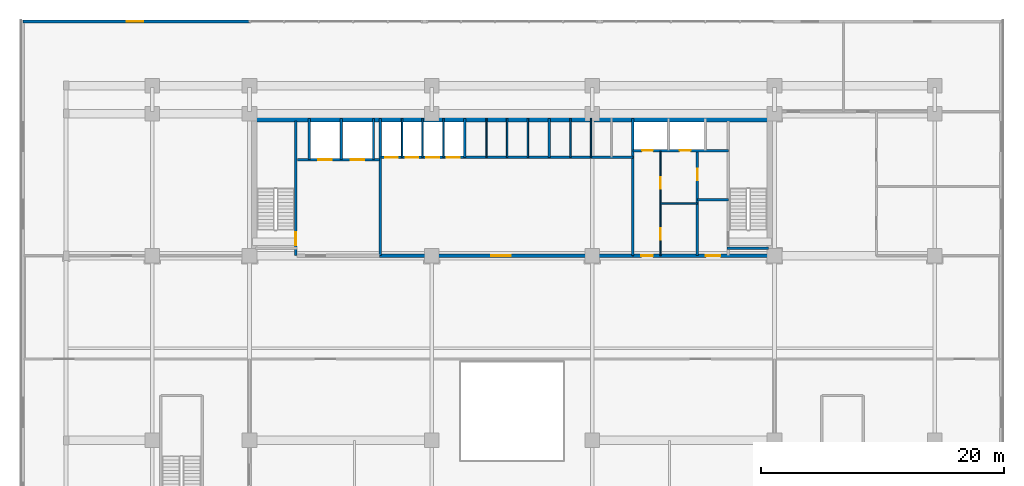
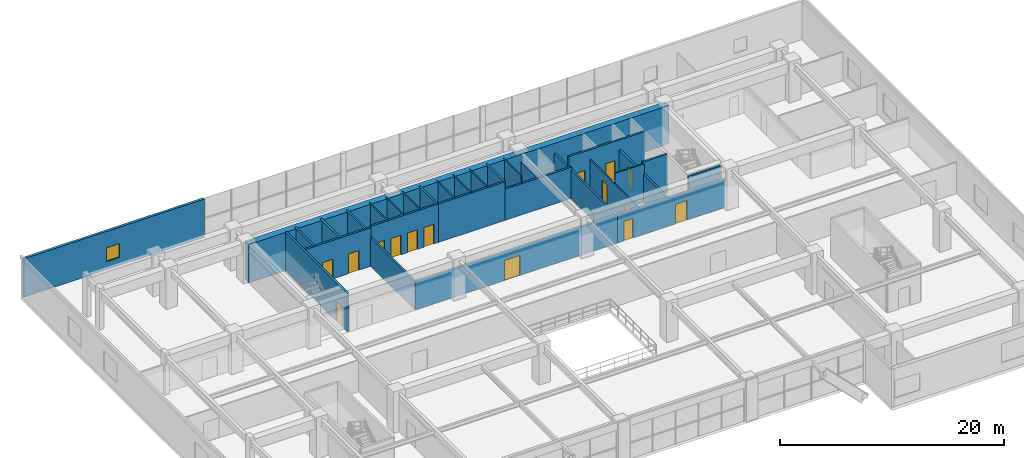
# One storey, part 16 of 24: 30 walls, 15 doors, 1 window, 16 openings.
"""IFC4 building model written with IfcOpenShell, lengths in metres."""

from ifc_helpers import new_model, si_unit, direction, frame, frame_2d, origin, place, context, subcontext, project, spatial, rectangle, extrude, source, transform, mapped, material, layer, layer_set, type_object, element, fill, save


model = new_model("IFC4")

# Units and contexts
model_context = context("Model", 3, precision=1e-05, world=origin(), true_north=direction((0.0, 1.0)))
body_context = subcontext(model_context, "Body", "Model", "MODEL_VIEW")
ifc_project = project(units=[si_unit("LENGTHUNIT", "METRE"), si_unit("AREAUNIT", "SQUARE_METRE"), si_unit("VOLUMEUNIT", "CUBIC_METRE"), si_unit("PLANEANGLEUNIT", "RADIAN"), si_unit("MASSUNIT", "GRAM", prefix="KILO")], contexts=[model_context])

# Site, building, storey
site_placement = place(None, origin())
site = spatial("IfcSite", under=ifc_project, at=site_placement, CompositionType="ELEMENT")
building_placement = place(site_placement, origin())
building = spatial("IfcBuilding", under=site, at=building_placement, Name="Trelvane Seafront Commons", CompositionType="ELEMENT")
storey_placement = place(building_placement, frame((0.0, 0.0, 5.199951171875)))
storey = spatial("IfcBuildingStorey", under=building, at=storey_placement, Name="L01", CompositionType="ELEMENT", Elevation=5.199951171875)

# Wall, opening, window
ifc_material_1 = material(Name="Precast concrete C40/50", Category="concrete")
ifc_layer_1 = layer(ifc_material_1, 0.260009765625, Name="ARCH-WALL-EXT260")
ifc_layer_set_1 = layer_set([ifc_layer_1], Name="Precast concrete C40/50")
wall_type_1 = type_object("IfcWallType", Name="ARCH-WALL-EXT260", PredefinedType="SOLIDWALL", material=ifc_layer_set_1)
wall_1_placement = place(storey_placement, frame((-3.050048828125, 52.669921875, 0.0), z_axis=(0.0, 0.0, 1.0), x_axis=(1.0, 0.0, 0.0)))
wall_1 = element("IfcWall", 1, at=wall_1_placement, inside=storey, type_object=wall_type_1, Name="EW-L01-NW-0005", PredefinedType="SOLIDWALL", context=body_context, shape_type="SweptSolid", body=[
    extrude(rectangle(XDim=18.650146484375, YDim=0.260009765625, at=frame_2d((9.3251953125, 0.0))), origin(), (0.0, 0.0, 1.0), 4.199951171875),
])
opening_1_placement = place(wall_1_placement, frame((8.55908203125, 0.0, 0.89990234375)))
opening_1 = element("IfcOpeningElement", 2, at=opening_1_placement, cuts=wall_1, Name="Opening W09", PredefinedType="OPENING", context=body_context, shape_type="SweptSolid", body=[
    extrude(rectangle(XDim=1.35009765625, YDim=1.5, at=frame_2d((0.675048828125, 0.75))), frame((0.0, 0.139892578125, 0.0), z_axis=(0.0, -1.0, 0.0), x_axis=(1.0, 0.0, 0.0)), (0.0, 0.0, 1.0), 0.280029296875),
])
ifc_material_2 = material(Name="Low-E coastal double glazing", Category="glass")
window_type = type_object("IfcWindowType", Name="ARCH-WIN-W09", PartitioningType="SINGLE_PANEL", PredefinedType="WINDOW", material=ifc_material_2)
shared_shape_1 = source(origin(), body_context, "Body", "SweptSolid", [
    extrude(rectangle(XDim=1.35009765625, YDim=1.5, at=frame_2d((0.675048828125, 0.75))), frame((0.0, 0.030029296875, 0.0), z_axis=(0.0, -1.0, 0.0), x_axis=(1.0, 0.0, 0.0)), (0.0, 0.0, 1.0), 0.06005859375),
])
window_placement = place(opening_1_placement, origin())
window = element("IfcWindow", 3, at=window_placement, inside=storey, type_object=window_type, Name="WIN-L01-00005", OverallHeight=1.5, OverallWidth=1.35009765625, PartitioningType="SINGLE_PANEL", PredefinedType="WINDOW", context=body_context, shape_type="MappedRepresentation", body=[
    mapped(shared_shape_1, transform((0.0, 0.0, 0.0), x_axis=(1.0, 0.0, 0.0), y_axis=(0.0, 1.0, 0.0), z_axis=(0.0, 0.0, 1.0), scale=1.0)),
])
fill(opening_1, window)

# Wall, opening, door
ifc_material_3 = material(Name="Concrete C40/50", Category="concrete")
ifc_layer_2 = layer(ifc_material_3, 0.199951171875, Name="ARCH-WALL-FIRE200")
ifc_layer_set_2 = layer_set([ifc_layer_2], Name="Concrete C40/50")
wall_type_2 = type_object("IfcWallType", Name="ARCH-WALL-FIRE200", PredefinedType="PARTITIONING", material=ifc_layer_set_2)
wall_2_placement = place(storey_placement, frame((52.449951171875, 33.39990234375, 0.0), z_axis=(0.0, 0.0, 1.0), x_axis=(0.0, 1.0, 0.0)))
wall_2 = element("IfcWall", 4, at=wall_2_placement, inside=storey, type_object=wall_type_2, Name="W-L01-ST2V-W-041", PredefinedType="PARTITIONING", context=body_context, shape_type="SweptSolid", body=[
    extrude(rectangle(XDim=8.650146484375, YDim=0.199951171875, at=frame_2d((4.3251953125, 0.0))), origin(), (0.0, 0.0, 1.0), 3.10009765625),
])
opening_2_placement = place(wall_2_placement, frame((6.199951171875, 0.0, 0.0)))
opening_2 = element("IfcOpeningElement", 5, at=opening_2_placement, cuts=wall_2, Name="Opening FD-L01-15", PredefinedType="OPENING", context=body_context, shape_type="SweptSolid", body=[
    extrude(rectangle(XDim=0.949951171875, YDim=2.14990234375, at=frame_2d((0.47509765625, 1.074951171875))), frame((0.0, 0.10986328125, 0.0), z_axis=(0.0, -1.0, 0.0), x_axis=(1.0, 0.0, 0.0)), (0.0, 0.0, 1.0), 0.219970703125),
])
ifc_material_4 = material(Name="Powder-coated aluminium frame", Category="aluminium")
door_type_1 = type_object("IfcDoorType", Name="ARCH-DR-FD60-950", OperationType="NOTDEFINED", PredefinedType="DOOR", material=ifc_material_4)
shared_shape_2 = source(origin(), body_context, "Body", "SweptSolid", [
    extrude(rectangle(XDim=0.949951171875, YDim=2.14990234375, at=frame_2d((0.47509765625, 1.074951171875))), frame((0.0, 0.02490234375, 0.0), z_axis=(0.0, -1.0, 0.0), x_axis=(1.0, 0.0, 0.0)), (0.0, 0.0, 1.0), 0.050048828125),
])
door_1_placement = place(opening_2_placement, origin())
door_1 = element("IfcDoor", 6, at=door_1_placement, inside=storey, type_object=door_type_1, Name="L01 Cleaner Store Door", OperationType="SINGLE_SWING_LEFT", OverallHeight=2.14990234375, OverallWidth=0.949951171875, PredefinedType="DOOR", context=body_context, shape_type="MappedRepresentation", body=[
    mapped(shared_shape_2, transform((0.0, 0.0, 0.0), x_axis=(1.0, 0.0, 0.0), y_axis=(0.0, 1.0, 0.0), z_axis=(0.0, 0.0, 1.0), scale=1.0)),
])
fill(opening_2, door_1)

# Wall
wall_3_placement = place(storey_placement, frame((52.449951171875, 38.0, 0.0), z_axis=(0.0, 0.0, 1.0), x_axis=(1.0, 0.0, 0.0)))
element("IfcWall", 7, at=wall_3_placement, inside=storey, type_object=wall_type_2, Name="W-L01-ST2V-N-042", PredefinedType="PARTITIONING", context=body_context, shape_type="SweptSolid", body=[
    extrude(rectangle(XDim=2.550048828125, YDim=0.199951171875, at=frame_2d((1.27490234375, 0.0))), origin(), (0.0, 0.0, 1.0), 4.199951171875),
])

# Wall, opening, door
ifc_layer_3 = layer(ifc_material_3, 0.25, Name="ARCH-WALL-FIRE250")
ifc_layer_set_3 = layer_set([ifc_layer_3], Name="Concrete C40/50")
wall_type_3 = type_object("IfcWallType", Name="ARCH-WALL-FIRE250", PredefinedType="PARTITIONING", material=ifc_layer_set_3)
wall_4_placement = place(storey_placement, frame((26.300048828125, 33.39990234375, 0.0), z_axis=(0.0, 0.0, 1.0), x_axis=(1.0, 0.0, 0.0)))
wall_4 = element("IfcWall", 8, at=wall_4_placement, inside=storey, type_object=wall_type_3, Name="W-L01-CS-PAX-037", PredefinedType="PARTITIONING", context=body_context, shape_type="SweptSolid", body=[
    extrude(rectangle(XDim=20.849853515625, YDim=0.25, at=frame_2d((10.4248046875, 0.0))), origin(), (0.0, 0.0, 1.0), 3.10009765625),
])
opening_3_placement = place(wall_4_placement, frame((9.199951171875, 0.0, 0.0)))
opening_3 = element("IfcOpeningElement", 9, at=opening_3_placement, cuts=wall_4, Name="Opening FD-L01-12", PredefinedType="OPENING", context=body_context, shape_type="SweptSolid", body=[
    extrude(rectangle(XDim=1.60009765625, YDim=2.199951171875, at=frame_2d((0.800048828125, 1.10009765625))), frame((0.0, 0.135009765625, 0.0), z_axis=(0.0, -1.0, 0.0), x_axis=(1.0, 0.0, 0.0)), (0.0, 0.0, 1.0), 0.27001953125),
])
door_type_2 = type_object("IfcDoorType", Name="ARCH-DR-FD60-1600", OperationType="DOUBLE_DOOR_SINGLE_SWING", PredefinedType="DOOR", material=ifc_material_4)
shared_shape_3 = source(origin(), body_context, "Body", "SweptSolid", [
    extrude(rectangle(XDim=1.60009765625, YDim=2.199951171875, at=frame_2d((0.800048828125, 1.10009765625))), frame((0.0, 0.02490234375, 0.0), z_axis=(0.0, -1.0, 0.0), x_axis=(1.0, 0.0, 0.0)), (0.0, 0.0, 1.0), 0.050048828125),
])
door_2_placement = place(opening_3_placement, origin())
door_2 = element("IfcDoor", 10, at=door_2_placement, inside=storey, type_object=door_type_2, Name="L01 Passenger Lift Lobby Double Door", OperationType="DOUBLE_DOOR_SINGLE_SWING", OverallHeight=2.199951171875, OverallWidth=1.60009765625, PredefinedType="DOOR", context=body_context, shape_type="MappedRepresentation", body=[
    mapped(shared_shape_3, transform((0.0, 0.0, 0.0), x_axis=(1.0, 0.0, 0.0), y_axis=(0.0, 1.0, 0.0), z_axis=(0.0, 0.0, 1.0), scale=1.0)),
])
fill(opening_3, door_2)

# Wall, openings, doors
wall_5_placement = place(storey_placement, frame((47.14990234375, 33.39990234375, 0.0), z_axis=(0.0, 0.0, 1.0), x_axis=(1.0, 0.0, 0.0)))
wall_5 = element("IfcWall", 11, at=wall_5_placement, inside=storey, type_object=wall_type_3, Name="W-L01-CS-EAST-045", PredefinedType="PARTITIONING", context=body_context, shape_type="SweptSolid", body=[
    extrude(rectangle(XDim=11.150146484375, YDim=0.25, at=frame_2d((5.5751953125, 0.0))), origin(), (0.0, 0.0, 1.0), 3.10009765625),
])
opening_4_placement = place(wall_5_placement, frame((0.699951171875, 0.0, 0.0)))
opening_4 = element("IfcOpeningElement", 12, at=opening_4_placement, cuts=wall_5, Name="Opening FD-L01-18", PredefinedType="OPENING", context=body_context, shape_type="SweptSolid", body=[
    extrude(rectangle(XDim=0.949951171875, YDim=2.14990234375, at=frame_2d((0.47509765625, 1.074951171875))), frame((0.0, 0.135009765625, 0.0), z_axis=(0.0, -1.0, 0.0), x_axis=(1.0, 0.0, 0.0)), (0.0, 0.0, 1.0), 0.27001953125),
])
opening_5_placement = place(wall_5_placement, frame((6.0, 0.0, 0.0)))
opening_5 = element("IfcOpeningElement", 13, at=opening_5_placement, cuts=wall_5, Name="Opening FD-L01-19", PredefinedType="OPENING", context=body_context, shape_type="SweptSolid", body=[
    extrude(rectangle(XDim=1.199951171875, YDim=2.14990234375, at=frame_2d((0.60009765625, 1.074951171875))), frame((0.0, 0.135009765625, 0.0), z_axis=(0.0, -1.0, 0.0), x_axis=(1.0, 0.0, 0.0)), (0.0, 0.0, 1.0), 0.27001953125),
])
door_3_placement = place(opening_4_placement, origin())
door_3 = element("IfcDoor", 14, at=door_3_placement, inside=storey, type_object=door_type_1, Name="L01 Core Service Lobby Door", OperationType="SINGLE_SWING_RIGHT", OverallHeight=2.14990234375, OverallWidth=0.949951171875, PredefinedType="DOOR", context=body_context, shape_type="MappedRepresentation", body=[
    mapped(shared_shape_2, transform((0.0, 0.0, 0.0), x_axis=(1.0, 0.0, 0.0), y_axis=(0.0, 1.0, 0.0), z_axis=(0.0, 0.0, 1.0), scale=1.0)),
])
fill(opening_4, door_3)
door_type_3 = type_object("IfcDoorType", Name="ARCH-DR-FD60-1200", OperationType="NOTDEFINED", PredefinedType="DOOR", material=ifc_material_4)
shared_shape_4 = source(origin(), body_context, "Body", "SweptSolid", [
    extrude(rectangle(XDim=1.199951171875, YDim=2.14990234375, at=frame_2d((0.60009765625, 1.074951171875))), frame((0.0, 0.02490234375, 0.0), z_axis=(0.0, -1.0, 0.0), x_axis=(1.0, 0.0, 0.0)), (0.0, 0.0, 1.0), 0.050048828125),
])
door_4_placement = place(opening_5_placement, origin())
door_4 = element("IfcDoor", 15, at=door_4_placement, inside=storey, type_object=door_type_3, Name="L01 East Stair Vestibule Fire Door", OperationType="SINGLE_SWING_LEFT", OverallHeight=2.14990234375, OverallWidth=1.199951171875, PredefinedType="DOOR", context=body_context, shape_type="MappedRepresentation", body=[
    mapped(shared_shape_4, transform((0.0, 0.0, 0.0), x_axis=(1.0, 0.0, 0.0), y_axis=(0.0, 1.0, 0.0), z_axis=(0.0, 0.0, 1.0), scale=1.0)),
])
fill(opening_5, door_4)

# Walls
ifc_material_5 = material(Name="Gypsum Drywall Acoustic Partition")
ifc_layer_4 = layer(ifc_material_5, 0.1201171875, Name="ARCH-WALL-PART120")
ifc_layer_set_4 = layer_set([ifc_layer_4], Name="Gypsum Drywall Acoustic Partition")
wall_type_4 = type_object("IfcWallType", Name="ARCH-WALL-PART120", PredefinedType="PARTITIONING", material=ifc_layer_set_4)
for number, where, z_axis, x_axis, name in (
    (16, (28.14990234375, 41.5, 0.0), (0.0, 0.0, 1.0), (0.0, 1.0, 0.0), "W-L01-PL-DIV1-024"),
    (17, (29.85009765625, 41.5, 0.0), (0.0, 0.0, 1.0), (0.0, 1.0, 0.0), "W-L01-PL-DIV2-025"),
    (18, (31.550048828125, 41.5, 0.0), (0.0, 0.0, 1.0), (0.0, 1.0, 0.0), "W-L01-PL-DIV3-026"),
    (19, (35.10009765625, 41.5, 0.0), (0.0, 0.0, 1.0), (0.0, 1.0, 0.0), "W-L01-PM-DIV1-028"),
    (20, (36.800048828125, 41.5, 0.0), (0.0, 0.0, 1.0), (0.0, 1.0, 0.0), "W-L01-PM-DIV2-029"),
    (21, (38.5, 41.5, 0.0), (0.0, 0.0, 1.0), (0.0, 1.0, 0.0), "W-L01-PM-DIV3-030"),
    (22, (42.0, 41.5, 0.0), (0.0, 0.0, 1.0), (0.0, 1.0, 0.0), "W-L01-PH-DIV1-033"),
):
    element("IfcWall", number, at=place(storey_placement, frame(where, z_axis=z_axis, x_axis=x_axis)), inside=storey, type_object=wall_type_4, Name=name, PredefinedType="PARTITIONING", context=body_context, shape_type="SweptSolid", body=[
        extrude(rectangle(XDim=3.199951171875, YDim=0.1201171875, at=frame_2d((1.60009765625, 0.0))), origin(), (0.0, 0.0, 1.0), 4.199951171875),
    ])
wall_6_placement = place(storey_placement, frame((43.699951171875, 41.5, 0.0), z_axis=(0.0, 0.0, 1.0), x_axis=(0.0, 1.0, 0.0)))
element("IfcWall", 23, at=wall_6_placement, inside=storey, type_object=wall_type_4, Name="W-L01-PH-DIV2-034", PredefinedType="PARTITIONING", context=body_context, shape_type="SweptSolid", body=[
    extrude(rectangle(XDim=3.199951171875, YDim=0.1201171875, at=frame_2d((1.60009765625, 0.0))), origin(), (0.0, 0.0, 1.0), 3.400146484375),
])

# Wall, openings, doors
wall_7_placement = place(storey_placement, frame((49.419921875, 33.39990234375, 0.0), z_axis=(0.0, 0.0, 1.0), x_axis=(0.0, 1.0, 0.0)))
wall_7 = element("IfcWall", 24, at=wall_7_placement, inside=storey, type_object=wall_type_4, Name="W-L01-CYC0-V-043", PredefinedType="PARTITIONING", context=body_context, shape_type="SweptSolid", body=[
    extrude(rectangle(XDim=8.60009765625, YDim=0.1201171875, at=frame_2d((4.300048828125, 0.0))), origin(), (0.0, 0.0, 1.0), 3.10009765625),
])
opening_6_placement = place(wall_7_placement, frame((1.300048828125, 0.0, 0.0)))
opening_6 = element("IfcOpeningElement", 25, at=opening_6_placement, cuts=wall_7, Name="Opening D-L01-16", PredefinedType="OPENING", context=body_context, shape_type="SweptSolid", body=[
    extrude(rectangle(XDim=0.949951171875, YDim=2.14990234375, at=frame_2d((0.47509765625, 1.074951171875))), frame((0.0, 0.070068359375, 0.0), z_axis=(0.0, -1.0, 0.0), x_axis=(1.0, 0.0, 0.0)), (0.0, 0.0, 1.0), 0.14013671875),
])
opening_7_placement = place(wall_7_placement, frame((5.5, 0.0, 0.0)))
opening_7 = element("IfcOpeningElement", 26, at=opening_7_placement, cuts=wall_7, Name="Opening D-L01-17", PredefinedType="OPENING", context=body_context, shape_type="SweptSolid", body=[
    extrude(rectangle(XDim=0.949951171875, YDim=2.14990234375, at=frame_2d((0.47509765625, 1.074951171875))), frame((0.0, 0.070068359375, 0.0), z_axis=(0.0, -1.0, 0.0), x_axis=(1.0, 0.0, 0.0)), (0.0, 0.0, 1.0), 0.14013671875),
])
ifc_material_6 = material(Name="Acoustic timber door leaf", Category="wood")
door_type_4 = type_object("IfcDoorType", Name="ARCH-DR-INT950", OperationType="NOTDEFINED", PredefinedType="DOOR", material=ifc_material_6)
door_5_placement = place(opening_6_placement, origin())
door_5 = element("IfcDoor", 27, at=door_5_placement, inside=storey, type_object=door_type_4, Name="L01 Accessible WC Door", OperationType="SINGLE_SWING_RIGHT", OverallHeight=2.14990234375, OverallWidth=0.949951171875, PredefinedType="DOOR", context=body_context, shape_type="MappedRepresentation", body=[
    mapped(shared_shape_2, transform((0.0, 0.0, 0.0), x_axis=(1.0, 0.0, 0.0), y_axis=(0.0, 1.0, 0.0), z_axis=(0.0, 0.0, 1.0), scale=1.0)),
])
fill(opening_6, door_5)
door_6_placement = place(opening_7_placement, origin())
door_6 = element("IfcDoor", 28, at=door_6_placement, inside=storey, type_object=door_type_4, Name="L01 Common WC Door", OperationType="SINGLE_SWING_LEFT", OverallHeight=2.14990234375, OverallWidth=0.949951171875, PredefinedType="DOOR", context=body_context, shape_type="MappedRepresentation", body=[
    mapped(shared_shape_2, transform((0.0, 0.0, 0.0), x_axis=(1.0, 0.0, 0.0), y_axis=(0.0, 1.0, 0.0), z_axis=(0.0, 0.0, 1.0), scale=1.0)),
])
fill(opening_7, door_6)

# Wall
wall_8_placement = place(storey_placement, frame((49.419921875, 37.679931640625, 0.0), z_axis=(0.0, 0.0, 1.0), x_axis=(1.0, 0.0, 0.0)))
element("IfcWall", 29, at=wall_8_placement, inside=storey, type_object=wall_type_4, Name="W-L01-CYC0-H-044", PredefinedType="PARTITIONING", context=body_context, shape_type="SweptSolid", body=[
    extrude(rectangle(XDim=3.030029296875, YDim=0.1201171875, at=frame_2d((1.51513671875, 0.0))), origin(), (0.0, 0.0, 1.0), 4.199951171875),
])

# Wall, openings, doors
ifc_layer_5 = layer(ifc_material_3, 0.199951171875, Name="ARCH-WALL-SHAFT200")
ifc_layer_set_5 = layer_set([ifc_layer_5], Name="Concrete C40/50")
wall_type_5 = type_object("IfcWallType", Name="ARCH-WALL-SHAFT200", PredefinedType="SOLIDWALL", material=ifc_layer_set_5)
wall_9_placement = place(storey_placement, frame((19.550048828125, 41.300048828125, 0.0), z_axis=(0.0, 0.0, 1.0), x_axis=(1.0, 0.0, 0.0)))
wall_9 = element("IfcWall", 30, at=wall_9_placement, inside=storey, type_object=wall_type_5, Name="W-L01-FFL-FRONT-016", PredefinedType="SOLIDWALL", context=body_context, shape_type="SweptSolid", body=[
    extrude(rectangle(XDim=6.75, YDim=0.199951171875, at=frame_2d((3.375, 0.0))), origin(), (0.0, 0.0, 1.0), 4.199951171875),
])
opening_8_placement = place(wall_9_placement, frame((1.699951171875, 0.0, 0.0)))
opening_8 = element("IfcOpeningElement", 31, at=opening_8_placement, cuts=wall_9, Name="Opening LD-FF1-L01", PredefinedType="OPENING", context=body_context, shape_type="SweptSolid", body=[
    extrude(rectangle(XDim=1.10009765625, YDim=2.14990234375, at=frame_2d((0.550048828125, 1.074951171875))), frame((0.0, 0.10986328125, 0.0), z_axis=(0.0, -1.0, 0.0), x_axis=(1.0, 0.0, 0.0)), (0.0, 0.0, 1.0), 0.219970703125),
])
opening_9_placement = place(wall_9_placement, frame((4.39990234375, 0.0, 0.0)))
opening_9 = element("IfcOpeningElement", 32, at=opening_9_placement, cuts=wall_9, Name="Opening LD-FF2-L01", PredefinedType="OPENING", context=body_context, shape_type="SweptSolid", body=[
    extrude(rectangle(XDim=1.10009765625, YDim=2.14990234375, at=frame_2d((0.550048828125, 1.074951171875))), frame((0.0, 0.10986328125, 0.0), z_axis=(0.0, -1.0, 0.0), x_axis=(1.0, 0.0, 0.0)), (0.0, 0.0, 1.0), 0.219970703125),
])
ifc_material_7 = material(Name="Stainless steel balustrade", Category="steel")
door_type_5 = type_object("IfcDoorType", Name="ARCH-DR-LD1100", OperationType="DOUBLE_DOOR_SLIDING", PredefinedType="DOOR", material=ifc_material_7)
shared_shape_5 = source(origin(), body_context, "Body", "SweptSolid", [
    extrude(rectangle(XDim=1.10009765625, YDim=2.14990234375, at=frame_2d((0.550048828125, 1.074951171875))), frame((0.0, 0.02490234375, 0.0), z_axis=(0.0, -1.0, 0.0), x_axis=(1.0, 0.0, 0.0)), (0.0, 0.0, 1.0), 0.050048828125),
])
door_7_placement = place(opening_8_placement, origin())
door_7 = element("IfcDoor", 33, at=door_7_placement, inside=storey, type_object=door_type_5, Name="L01 Firefighting Lift FFL-1 Landing Door", OperationType="DOUBLE_DOOR_SLIDING", OverallHeight=2.14990234375, OverallWidth=1.10009765625, PredefinedType="DOOR", context=body_context, shape_type="MappedRepresentation", body=[
    mapped(shared_shape_5, transform((0.0, 0.0, 0.0), x_axis=(1.0, 0.0, 0.0), y_axis=(0.0, 1.0, 0.0), z_axis=(0.0, 0.0, 1.0), scale=1.0)),
])
fill(opening_8, door_7)
door_8_placement = place(opening_9_placement, origin())
door_8 = element("IfcDoor", 34, at=door_8_placement, inside=storey, type_object=door_type_5, Name="L01 Firefighting Lift FFL-2 Landing Door", OperationType="DOUBLE_DOOR_SLIDING", OverallHeight=2.14990234375, OverallWidth=1.10009765625, PredefinedType="DOOR", context=body_context, shape_type="MappedRepresentation", body=[
    mapped(shared_shape_5, transform((0.0, 0.0, 0.0), x_axis=(1.0, 0.0, 0.0), y_axis=(0.0, 1.0, 0.0), z_axis=(0.0, 0.0, 1.0), scale=1.0)),
])
fill(opening_9, door_8)

# Walls
for number, where, z_axis, x_axis, name in (
    (35, (20.5, 41.300048828125, 0.0), (0.0, 0.0, 1.0), (0.0, 1.0, 0.0), "W-L01-FFL-SH-W-017"),
    (36, (23.14990234375, 41.300048828125, 0.0), (0.0, 0.0, 1.0), (0.0, 1.0, 0.0), "W-L01-FFL-DIV-018"),
    (37, (25.800048828125, 41.300048828125, 0.0), (0.0, 0.0, 1.0), (0.0, 1.0, 0.0), "W-L01-FFL-SH-E-019"),
):
    element("IfcWall", number, at=place(storey_placement, frame(where, z_axis=z_axis, x_axis=x_axis)), inside=storey, type_object=wall_type_5, Name=name, PredefinedType="SOLIDWALL", context=body_context, shape_type="SweptSolid", body=[
        extrude(rectangle(XDim=3.39990234375, YDim=0.199951171875, at=frame_2d((1.699951171875, 0.0))), origin(), (0.0, 0.0, 1.0), 4.199951171875),
    ])
wall_10_placement = place(storey_placement, frame((26.35009765625, 33.39990234375, 0.0), z_axis=(0.0, 0.0, 1.0), x_axis=(0.0, 1.0, 0.0)))
element("IfcWall", 38, at=wall_10_placement, inside=storey, type_object=wall_type_5, Name="W-L01-FFL-EAST-020", PredefinedType="SOLIDWALL", context=body_context, shape_type="SweptSolid", body=[
    extrude(rectangle(XDim=11.300048828125, YDim=0.199951171875, at=frame_2d((5.64990234375, 0.0))), origin(), (0.0, 0.0, 1.0), 3.10009765625),
])

# Wall, openings, doors
wall_11_placement = place(storey_placement, frame((26.39990234375, 41.5, 0.0), z_axis=(0.0, 0.0, 1.0), x_axis=(1.0, 0.0, 0.0)))
wall_11 = element("IfcWall", 39, at=wall_11_placement, inside=storey, type_object=wall_type_5, Name="W-L01-PL-FRONT-022", PredefinedType="SOLIDWALL", context=body_context, shape_type="SweptSolid", body=[
    extrude(rectangle(XDim=6.9501953125, YDim=0.199951171875, at=frame_2d((3.47509765625, 0.0))), origin(), (0.0, 0.0, 1.0), 4.199951171875),
])
opening_10_placement = place(wall_11_placement, frame((0.35009765625, 0.0, 0.0)))
opening_10 = element("IfcOpeningElement", 40, at=opening_10_placement, cuts=wall_11, Name="Opening LD-PL1-L01", PredefinedType="OPENING", context=body_context, shape_type="SweptSolid", body=[
    extrude(rectangle(XDim=1.050048828125, YDim=2.14990234375, at=frame_2d((0.52490234375, 1.074951171875))), frame((0.0, 0.10986328125, 0.0), z_axis=(0.0, -1.0, 0.0), x_axis=(1.0, 0.0, 0.0)), (0.0, 0.0, 1.0), 0.219970703125),
])
opening_11_placement = place(wall_11_placement, frame((2.050048828125, 0.0, 0.0)))
opening_11 = element("IfcOpeningElement", 41, at=opening_11_placement, cuts=wall_11, Name="Opening LD-PL2-L01", PredefinedType="OPENING", context=body_context, shape_type="SweptSolid", body=[
    extrude(rectangle(XDim=1.050048828125, YDim=2.14990234375, at=frame_2d((0.52490234375, 1.074951171875))), frame((0.0, 0.10986328125, 0.0), z_axis=(0.0, -1.0, 0.0), x_axis=(1.0, 0.0, 0.0)), (0.0, 0.0, 1.0), 0.219970703125),
])
opening_12_placement = place(wall_11_placement, frame((3.75, 0.0, 0.0)))
opening_12 = element("IfcOpeningElement", 42, at=opening_12_placement, cuts=wall_11, Name="Opening LD-PL3-L01", PredefinedType="OPENING", context=body_context, shape_type="SweptSolid", body=[
    extrude(rectangle(XDim=1.050048828125, YDim=2.14990234375, at=frame_2d((0.52490234375, 1.074951171875))), frame((0.0, 0.10986328125, 0.0), z_axis=(0.0, -1.0, 0.0), x_axis=(1.0, 0.0, 0.0)), (0.0, 0.0, 1.0), 0.219970703125),
])
opening_13_placement = place(wall_11_placement, frame((5.449951171875, 0.0, 0.0)))
opening_13 = element("IfcOpeningElement", 43, at=opening_13_placement, cuts=wall_11, Name="Opening LD-PL4-L01", PredefinedType="OPENING", context=body_context, shape_type="SweptSolid", body=[
    extrude(rectangle(XDim=1.050048828125, YDim=2.14990234375, at=frame_2d((0.52490234375, 1.074951171875))), frame((0.0, 0.10986328125, 0.0), z_axis=(0.0, -1.0, 0.0), x_axis=(1.0, 0.0, 0.0)), (0.0, 0.0, 1.0), 0.219970703125),
])
door_type_6 = type_object("IfcDoorType", Name="ARCH-DR-LD1050", OperationType="DOUBLE_DOOR_SLIDING", PredefinedType="DOOR", material=ifc_material_7)
shared_shape_6 = source(origin(), body_context, "Body", "SweptSolid", [
    extrude(rectangle(XDim=1.050048828125, YDim=2.14990234375, at=frame_2d((0.52490234375, 1.074951171875))), frame((0.0, 0.02490234375, 0.0), z_axis=(0.0, -1.0, 0.0), x_axis=(1.0, 0.0, 0.0)), (0.0, 0.0, 1.0), 0.050048828125),
])
door_9_placement = place(opening_10_placement, origin())
door_9 = element("IfcDoor", 44, at=door_9_placement, inside=storey, type_object=door_type_6, Name="L01 Passenger Lift PL-1 Landing Door", OperationType="DOUBLE_DOOR_SLIDING", OverallHeight=2.14990234375, OverallWidth=1.050048828125, PredefinedType="DOOR", context=body_context, shape_type="MappedRepresentation", body=[
    mapped(shared_shape_6, transform((0.0, 0.0, 0.0), x_axis=(1.0, 0.0, 0.0), y_axis=(0.0, 1.0, 0.0), z_axis=(0.0, 0.0, 1.0), scale=1.0)),
])
fill(opening_10, door_9)
door_10_placement = place(opening_11_placement, origin())
door_10 = element("IfcDoor", 45, at=door_10_placement, inside=storey, type_object=door_type_6, Name="L01 Passenger Lift PL-2 Landing Door", OperationType="DOUBLE_DOOR_SLIDING", OverallHeight=2.14990234375, OverallWidth=1.050048828125, PredefinedType="DOOR", context=body_context, shape_type="MappedRepresentation", body=[
    mapped(shared_shape_6, transform((0.0, 0.0, 0.0), x_axis=(1.0, 0.0, 0.0), y_axis=(0.0, 1.0, 0.0), z_axis=(0.0, 0.0, 1.0), scale=1.0)),
])
fill(opening_11, door_10)
door_11_placement = place(opening_12_placement, origin())
door_11 = element("IfcDoor", 46, at=door_11_placement, inside=storey, type_object=door_type_6, Name="L01 Passenger Lift PL-3 Landing Door", OperationType="DOUBLE_DOOR_SLIDING", OverallHeight=2.14990234375, OverallWidth=1.050048828125, PredefinedType="DOOR", context=body_context, shape_type="MappedRepresentation", body=[
    mapped(shared_shape_6, transform((0.0, 0.0, 0.0), x_axis=(1.0, 0.0, 0.0), y_axis=(0.0, 1.0, 0.0), z_axis=(0.0, 0.0, 1.0), scale=1.0)),
])
fill(opening_12, door_11)
door_12_placement = place(opening_13_placement, origin())
door_12 = element("IfcDoor", 47, at=door_12_placement, inside=storey, type_object=door_type_6, Name="L01 Passenger Lift PL-4 Landing Door", OperationType="DOUBLE_DOOR_SLIDING", OverallHeight=2.14990234375, OverallWidth=1.050048828125, PredefinedType="DOOR", context=body_context, shape_type="MappedRepresentation", body=[
    mapped(shared_shape_6, transform((0.0, 0.0, 0.0), x_axis=(1.0, 0.0, 0.0), y_axis=(0.0, 1.0, 0.0), z_axis=(0.0, 0.0, 1.0), scale=1.0)),
])
fill(opening_13, door_12)

# Walls
wall_12_placement = place(storey_placement, frame((33.300048828125, 41.5, 0.0), z_axis=(0.0, 0.0, 1.0), x_axis=(0.0, 1.0, 0.0)))
element("IfcWall", 48, at=wall_12_placement, inside=storey, type_object=wall_type_5, Name="W-L01-PL-EAST-SH-023", PredefinedType="SOLIDWALL", context=body_context, shape_type="SweptSolid", body=[
    extrude(rectangle(XDim=3.199951171875, YDim=0.199951171875, at=frame_2d((1.60009765625, 0.0))), origin(), (0.0, 0.0, 1.0), 4.199951171875),
])
wall_13_placement = place(storey_placement, frame((33.35009765625, 41.5, 0.0), z_axis=(0.0, 0.0, 1.0), x_axis=(1.0, 0.0, 0.0)))
element("IfcWall", 49, at=wall_13_placement, inside=storey, type_object=wall_type_5, Name="W-L01-PM-FRONT-027", PredefinedType="SOLIDWALL", context=body_context, shape_type="SweptSolid", body=[
    extrude(rectangle(XDim=6.89990234375, YDim=0.199951171875, at=frame_2d((3.449951171875, 0.0))), origin(), (0.0, 0.0, 1.0), 4.199951171875),
])
wall_14_placement = place(storey_placement, frame((40.25, 41.5, 0.0), z_axis=(0.0, 0.0, 1.0), x_axis=(1.0, 0.0, 0.0)))
element("IfcWall", 50, at=wall_14_placement, inside=storey, type_object=wall_type_5, Name="W-L01-PH-FRONT-031", PredefinedType="SOLIDWALL", context=body_context, shape_type="SweptSolid", body=[
    extrude(rectangle(XDim=6.89990234375, YDim=0.199951171875, at=frame_2d((3.449951171875, 0.0))), origin(), (0.0, 0.0, 1.0), 3.400146484375),
])
wall_15_placement = place(storey_placement, frame((40.25, 41.5, 0.0), z_axis=(0.0, 0.0, 1.0), x_axis=(0.0, 1.0, 0.0)))
element("IfcWall", 51, at=wall_15_placement, inside=storey, type_object=wall_type_5, Name="W-L01-PH-WEST-SH-032", PredefinedType="SOLIDWALL", context=body_context, shape_type="SweptSolid", body=[
    extrude(rectangle(XDim=3.199951171875, YDim=0.199951171875, at=frame_2d((1.60009765625, 0.0))), origin(), (0.0, 0.0, 1.0), 4.199951171875),
])
wall_16_placement = place(storey_placement, frame((47.14990234375, 33.39990234375, 0.0), z_axis=(0.0, 0.0, 1.0), x_axis=(0.0, 1.0, 0.0)))
element("IfcWall", 52, at=wall_16_placement, inside=storey, type_object=wall_type_5, Name="W-L01-PH-EAST-036", PredefinedType="SOLIDWALL", context=body_context, shape_type="SweptSolid", body=[
    extrude(rectangle(XDim=11.300048828125, YDim=0.199951171875, at=frame_2d((5.64990234375, 0.0))), origin(), (0.0, 0.0, 1.0), 3.10009765625),
])

# Wall, openings, doors
wall_17_placement = place(storey_placement, frame((47.14990234375, 42.050048828125, 0.0), z_axis=(0.0, 0.0, 1.0), x_axis=(1.0, 0.0, 0.0)))
wall_17 = element("IfcWall", 53, at=wall_17_placement, inside=storey, type_object=wall_type_5, Name="W-L01-RSR-S-038", PredefinedType="SOLIDWALL", context=body_context, shape_type="SweptSolid", body=[
    extrude(rectangle(XDim=7.85009765625, YDim=0.199951171875, at=frame_2d((3.925048828125, 0.0))), origin(), (0.0, 0.0, 1.0), 4.199951171875),
])
opening_14_placement = place(wall_17_placement, frame((0.75, 0.0, 0.0)))
opening_14 = element("IfcOpeningElement", 54, at=opening_14_placement, cuts=wall_17, Name="Opening FD-L01-13", PredefinedType="OPENING", context=body_context, shape_type="SweptSolid", body=[
    extrude(rectangle(XDim=0.89990234375, YDim=2.10009765625, at=frame_2d((0.449951171875, 1.050048828125))), frame((0.0, 0.10986328125, 0.0), z_axis=(0.0, -1.0, 0.0), x_axis=(1.0, 0.0, 0.0)), (0.0, 0.0, 1.0), 0.219970703125),
])
opening_15_placement = place(wall_17_placement, frame((3.85009765625, 0.0, 0.0)))
opening_15 = element("IfcOpeningElement", 55, at=opening_15_placement, cuts=wall_17, Name="Opening FD-L01-14", PredefinedType="OPENING", context=body_context, shape_type="SweptSolid", body=[
    extrude(rectangle(XDim=0.89990234375, YDim=2.10009765625, at=frame_2d((0.449951171875, 1.050048828125))), frame((0.0, 0.10986328125, 0.0), z_axis=(0.0, -1.0, 0.0), x_axis=(1.0, 0.0, 0.0)), (0.0, 0.0, 1.0), 0.219970703125),
])
door_type_7 = type_object("IfcDoorType", Name="ARCH-DR-FD60-900", OperationType="NOTDEFINED", PredefinedType="DOOR", material=ifc_material_4)
shared_shape_7 = source(origin(), body_context, "Body", "SweptSolid", [
    extrude(rectangle(XDim=0.89990234375, YDim=2.10009765625, at=frame_2d((0.449951171875, 1.050048828125))), frame((0.0, 0.02490234375, 0.0), z_axis=(0.0, -1.0, 0.0), x_axis=(1.0, 0.0, 0.0)), (0.0, 0.0, 1.0), 0.050048828125),
])
door_13_placement = place(opening_14_placement, origin())
door_13 = element("IfcDoor", 56, at=door_13_placement, inside=storey, type_object=door_type_7, Name="L01 Electrical Riser Access Door", OperationType="SINGLE_SWING_LEFT", OverallHeight=2.10009765625, OverallWidth=0.89990234375, PredefinedType="DOOR", context=body_context, shape_type="MappedRepresentation", body=[
    mapped(shared_shape_7, transform((0.0, 0.0, 0.0), x_axis=(1.0, 0.0, 0.0), y_axis=(0.0, 1.0, 0.0), z_axis=(0.0, 0.0, 1.0), scale=1.0)),
])
fill(opening_14, door_13)
door_14_placement = place(opening_15_placement, origin())
door_14 = element("IfcDoor", 57, at=door_14_placement, inside=storey, type_object=door_type_7, Name="L01 Mechanical Riser Access Door", OperationType="SINGLE_SWING_RIGHT", OverallHeight=2.10009765625, OverallWidth=0.89990234375, PredefinedType="DOOR", context=body_context, shape_type="MappedRepresentation", body=[
    mapped(shared_shape_7, transform((0.0, 0.0, 0.0), x_axis=(1.0, 0.0, 0.0), y_axis=(0.0, 1.0, 0.0), z_axis=(0.0, 0.0, 1.0), scale=1.0)),
])
fill(opening_15, door_14)

# Wall
ifc_material_8 = material(Name="Concrete C60/75", Category="concrete")
ifc_layer_6 = layer(ifc_material_8, 0.699951171875, Name="STR-WALL-CORE700")
ifc_layer_set_6 = layer_set([ifc_layer_6], Name="Concrete C60/75")
wall_type_6 = type_object("IfcWallType", Name="STR-WALL-CORE700", PredefinedType="SHEAR", material=ifc_layer_set_6)
wall_18_placement = place(storey_placement, frame((15.5, 44.75, 0.0), z_axis=(0.0, 0.0, 1.0), x_axis=(1.0, 0.0, 0.0)))
element("IfcWall", 58, at=wall_18_placement, inside=storey, type_object=wall_type_6, Name="W-L01-CN-ALL-001", PredefinedType="SHEAR", context=body_context, shape_type="SweptSolid", body=[
    extrude(rectangle(XDim=43.39990234375, YDim=0.699951171875, at=frame_2d((21.699951171875, 0.0))), origin(), (0.0, 0.0, 1.0), 4.199951171875),
])

# Wall, opening, door
ifc_material_9 = material(Name="Concrete C50/60", Category="concrete")
ifc_layer_7 = layer(ifc_material_9, 0.199951171875, Name="STR-WALL-STAIR200")
ifc_layer_set_7 = layer_set([ifc_layer_7], Name="Concrete C50/60")
wall_type_7 = type_object("IfcWallType", Name="STR-WALL-STAIR200", PredefinedType="SHEAR", material=ifc_layer_set_7)
wall_19_placement = place(storey_placement, frame((19.39990234375, 33.39990234375, 0.0), z_axis=(0.0, 0.0, 1.0), x_axis=(0.0, 1.0, 0.0)))
wall_19 = element("IfcWall", 59, at=wall_19_placement, inside=storey, type_object=wall_type_7, Name="W-L01-ST1-E-005", PredefinedType="SHEAR", context=body_context, shape_type="SweptSolid", body=[
    extrude(rectangle(XDim=11.10009765625, YDim=0.199951171875, at=frame_2d((5.550048828125, 0.0))), origin(), (0.0, 0.0, 1.0), 4.199951171875),
])
opening_16_placement = place(wall_19_placement, frame((0.85009765625, 0.0, 0.0)))
opening_16 = element("IfcOpeningElement", 60, at=opening_16_placement, cuts=wall_19, Name="Opening ST-D1-L01", PredefinedType="OPENING", context=body_context, shape_type="SweptSolid", body=[
    extrude(rectangle(XDim=1.10009765625, YDim=2.14990234375, at=frame_2d((0.550048828125, 1.074951171875))), frame((0.0, 0.10986328125, 0.0), z_axis=(0.0, -1.0, 0.0), x_axis=(1.0, 0.0, 0.0)), (0.0, 0.0, 1.0), 0.219970703125),
])
door_type_8 = type_object("IfcDoorType", Name="ARCH-DR-FD90-1100", OperationType="NOTDEFINED", PredefinedType="DOOR", material=ifc_material_4)
door_15_placement = place(opening_16_placement, origin())
door_15 = element("IfcDoor", 61, at=door_15_placement, inside=storey, type_object=door_type_8, Name="L01 Stair ST-1 Lobby Fire Door", OperationType="SINGLE_SWING_LEFT", OverallHeight=2.14990234375, OverallWidth=1.10009765625, PredefinedType="DOOR", context=body_context, shape_type="MappedRepresentation", body=[
    mapped(shared_shape_5, transform((0.0, 0.0, 0.0), x_axis=(1.0, 0.0, 0.0), y_axis=(0.0, 1.0, 0.0), z_axis=(0.0, 0.0, 1.0), scale=1.0)),
])
fill(opening_16, door_15)

# Wall
wall_20_placement = place(storey_placement, frame((54.89990234375, 34.0, 0.0), z_axis=(0.0, 0.0, 1.0), x_axis=(1.0, 0.0, 0.0)))
element("IfcWall", 62, at=wall_20_placement, inside=storey, type_object=wall_type_7, Name="W-L01-ST2-S-006", PredefinedType="SHEAR", context=body_context, shape_type="SweptSolid", body=[
    extrude(rectangle(XDim=3.400146484375, YDim=0.199951171875, at=frame_2d((1.7001953125, 0.0))), origin(), (0.0, 0.0, 1.0), 4.199951171875),
])

save(model, "model.ifc")
